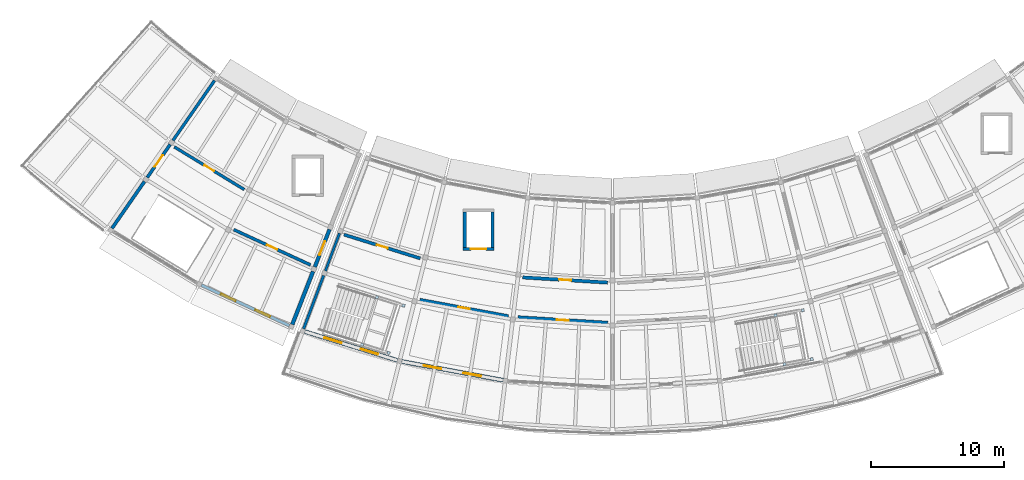
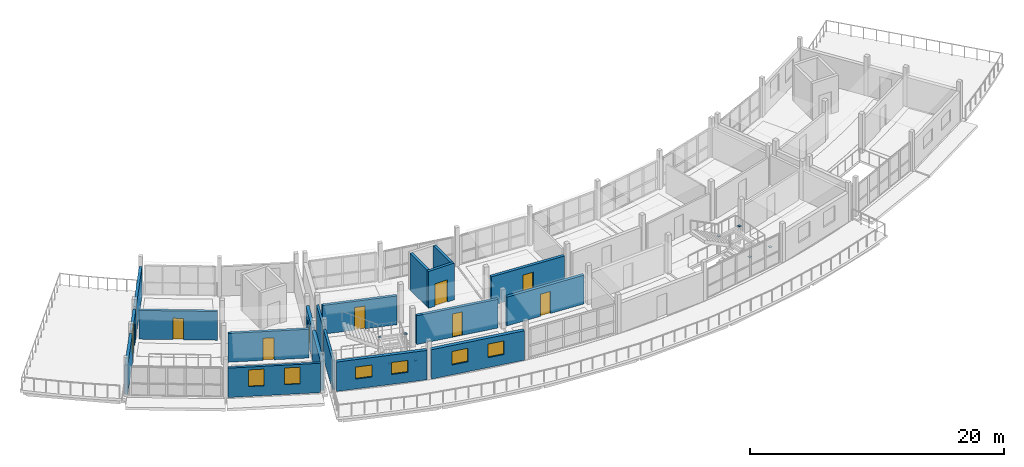
# One storey, part 17 of 24: 19 walls, 9 doors, 8 plates, 6 windows, 15 openings.
"""IFC4 building model written with IfcOpenShell, lengths in metres."""

from ifc_helpers import new_model, si_unit, direction, frame, frame_2d, origin, origin_2d, place, context, subcontext, project, spatial, rectangle, extrude, material, layer, layer_set, type_object, element, fill, save


model = new_model("IFC4")

# Units and contexts
model_context = context("Model", 3, precision=1e-05, world=origin(), true_north=direction((0.0, 1.0)))
body_context = subcontext(model_context, "Body", "Model", "MODEL_VIEW")
ifc_project = project(units=[si_unit("LENGTHUNIT", "METRE"), si_unit("AREAUNIT", "SQUARE_METRE"), si_unit("VOLUMEUNIT", "CUBIC_METRE"), si_unit("PLANEANGLEUNIT", "RADIAN"), si_unit("MASSUNIT", "GRAM", prefix="KILO")], contexts=[model_context])

# Site, building, storey
site_placement = place(None, origin())
site = spatial("IfcSite", under=ifc_project, at=site_placement, CompositionType="ELEMENT")
building_placement = place(site_placement, origin())
building = spatial("IfcBuilding", under=site, at=building_placement, Name="Caldaven Crescent School", CompositionType="ELEMENT")
storey_placement = place(building_placement, frame((0.0, 0.0, 15.639892578125)))
storey = spatial("IfcBuildingStorey", under=building, at=storey_placement, Name="L04", CompositionType="ELEMENT", Elevation=15.639892578125)

# Plates
ifc_material_1 = material(Name="Steel ASTM A572 Grade 50", Category="steel")
ifc_layer_1 = layer(ifc_material_1, 0.01806640625)
ifc_layer_set_1 = layer_set([ifc_layer_1], Name="Steel ASTM A572 Grade 50")
plate_type = type_object("IfcPlateType", Name="PLT-CAP18", PredefinedType="USERDEFINED", material=ifc_layer_set_1)
for number, where, z_axis, x_axis, name in (
    (1, (69.12109375, 32.864990234375, 1.675048828125), (0.0, 0.0, 1.0), (0.953716950748, -0.300705799504, 0.0), "CAP-STPOST-ST2-L04-A"),
    (2, (70.245849609375, 36.431884765625, 1.675048828125), (0.0, 0.0, 1.0), (0.953716950748, -0.300705799504, 0.0), "CAP-STPOST-ST2-L04-B"),
    (3, (71.114501953125, 32.236328125, 1.675048828125), (0.0, 0.0, 1.0), (0.953716950748, -0.300705799504, 0.0), "CAP-STPOST-ST2-L04-C"),
    (4, (72.239013671875, 35.80322265625, 1.675048828125), (0.0, 0.0, 1.0), (0.953716950748, -0.300705799504, 0.0), "CAP-STPOST-ST2-L04-D"),
    (5, (100.97119140625, 31.391845703125, 1.675048828125), (0.0, 0.0, 1.0), (0.983254907564, 0.182235525492, 0.0), "CAP-STPOST-ST3-L04-A"),
    (6, (100.28955078125, 35.0693359375, 1.675048828125), (0.0, 0.0, 1.0), (0.983254907564, 0.182235525492, 0.0), "CAP-STPOST-ST3-L04-B"),
    (7, (103.026123046875, 31.772705078125, 1.675048828125), (0.0, 0.0, 1.0), (0.983254907564, 0.182235525492, 0.0), "CAP-STPOST-ST3-L04-C"),
    (8, (102.344482421875, 35.4501953125, 1.675048828125), (0.0, 0.0, 1.0), (0.983254907564, 0.182235525492, 0.0), "CAP-STPOST-ST3-L04-D"),
):
    element("IfcPlate", number, at=place(storey_placement, frame(where, z_axis=z_axis, x_axis=x_axis)), inside=storey, type_object=plate_type, Name=name, ObjectType="CAP_PLATE", PredefinedType="USERDEFINED", context=body_context, shape_type="SweptSolid", body=[
        extrude(rectangle(XDim=0.219970703125, YDim=0.219970703125, at=origin_2d()), origin(), (0.0, 0.0, 1.0), 0.01806640625),
    ])

# Wall, opening, door
ifc_material_2 = material(Name="Concrete C35/45", Category="concrete")
ifc_layer_2 = layer(ifc_material_2, 0.300048828125)
ifc_layer_set_2 = layer_set([ifc_layer_2], Name="Concrete C35/45")
wall_type_1 = type_object("IfcWallType", Name="WAL-CW1", PredefinedType="SHEAR", material=ifc_layer_set_2)
wall_1_placement = place(storey_placement, frame((76.729248046875, 40.07763671875, 0.0), z_axis=(0.0, 0.0, 1.0), x_axis=(1.0, 0.0, 0.0)))
wall_1 = element("IfcWall", 9, at=wall_1_placement, inside=storey, type_object=wall_type_1, Name="CW-LF5-L04-S", PredefinedType="SHEAR", context=body_context, shape_type="SweptSolid", body=[
    extrude(rectangle(XDim=2.349853515625, YDim=0.25, at=frame_2d((1.1748046875, 0.0))), origin(), (0.0, 0.0, 1.0), 3.530029296875),
])
opening_1_placement = place(wall_1_placement, frame((0.60009765625, 0.0, 0.0)))
opening_1 = element("IfcOpeningElement", 10, at=opening_1_placement, cuts=wall_1, Name="Opening LD-LF5-L04", PredefinedType="OPENING", context=body_context, shape_type="SweptSolid", body=[
    extrude(rectangle(XDim=1.14990234375, YDim=2.14990234375, at=frame_2d((0.574951171875, 1.074951171875))), frame((0.0, 0.135009765625, 0.0), z_axis=(0.0, -1.0, 0.0), x_axis=(1.0, 0.0, 0.0)), (0.0, 0.0, 1.0), 0.27001953125),
])
ifc_material_3 = material(Name="Brushed stainless-steel automatic telescopic landing door", Category="steel")
door_type_1 = type_object("IfcDoorType", Name="DOR-LD02", OperationType="DOUBLE_DOOR_SLIDING", PredefinedType="DOOR", material=ifc_material_3)
door_1_placement = place(opening_1_placement, origin())
door_1 = element("IfcDoor", 11, at=door_1_placement, inside=storey, type_object=door_type_1, Name="DOR-LD-LF5-L04", OperationType="DOUBLE_DOOR_SLIDING", OverallHeight=2.14990234375, OverallWidth=1.14990234375, PredefinedType="DOOR", context=body_context, shape_type="SweptSolid", body=[
    extrude(rectangle(XDim=1.14990234375, YDim=2.14990234375, at=frame_2d((0.574951171875, 1.074951171875))), frame((0.0, 0.02490234375, 0.0), z_axis=(0.0, -1.0, 0.0), x_axis=(1.0, 0.0, 0.0)), (0.0, 0.0, 1.0), 0.050048828125),
])
fill(opening_1, door_1)

# Walls
ifc_layer_3 = layer(ifc_material_2, 0.25)
ifc_layer_set_3 = layer_set([ifc_layer_3], Name="Concrete C35/45")
wall_type_2 = type_object("IfcWallType", Name="WAL-CW2", PredefinedType="SHEAR", material=ifc_layer_set_3)
for number, where, z_axis, x_axis, name in (
    (12, (76.854248046875, 40.20263671875, 0.0), (0.0, 0.0, 1.0), (0.0, 1.0, 0.0), "CW-LF5-L04-W"),
    (13, (78.9541015625, 40.20263671875, 0.0), (0.0, 0.0, 1.0), (0.0, 1.0, 0.0), "CW-LF5-L04-E"),
):
    element("IfcWall", number, at=place(storey_placement, frame(where, z_axis=z_axis, x_axis=x_axis)), inside=storey, type_object=wall_type_2, Name=name, PredefinedType="SHEAR", context=body_context, shape_type="SweptSolid", body=[
        extrude(rectangle(XDim=2.650146484375, YDim=0.25, at=frame_2d((1.3251953125, 0.0))), origin(), (0.0, 0.0, 1.0), 3.530029296875),
    ])
ifc_material_4 = material(Name="Precast concrete C35/45", Category="concrete")
ifc_layer_4 = layer(ifc_material_4, 0.19189453125)
ifc_layer_set_4 = layer_set([ifc_layer_4], Name="Precast concrete C35/45")
wall_type_3 = type_object("IfcWallType", Name="WAL-EW01", PredefinedType="STANDARD", material=ifc_layer_set_4)
wall_2_placement = place(storey_placement, frame((67.41796875, 41.25830078125, 0.0), z_axis=(0.0, 0.0, 1.0), x_axis=(-0.351899369392, -0.936037837815, 0.0)))
element("IfcWall", 14, at=wall_2_placement, inside=storey, type_object=wall_type_3, Name="EW-L04-238", PredefinedType="STANDARD", context=body_context, shape_type="SweptSolid", body=[
    extrude(rectangle(XDim=3.033935546875, YDim=0.19189453125, at=frame_2d((1.51708984375, 0.0))), origin(), (0.0, 0.0, 1.0), 2.820068359375),
])
ifc_layer_5 = layer(ifc_material_4, 0.2041015625)
ifc_layer_set_5 = layer_set([ifc_layer_5], Name="Precast concrete C35/45")
wall_type_4 = type_object("IfcWallType", Name="WAL-EW02", PredefinedType="STANDARD", material=ifc_layer_set_5)
wall_3_placement = place(storey_placement, frame((66.221435546875, 38.075927734375, 0.0), z_axis=(0.0, 0.0, 1.0), x_axis=(-0.351932384448, -0.936025425283, 0.0)))
element("IfcWall", 15, at=wall_3_placement, inside=storey, type_object=wall_type_4, Name="EW-L04-239", PredefinedType="STANDARD", context=body_context, shape_type="SweptSolid", body=[
    extrude(rectangle(XDim=4.298828125, YDim=0.2041015625, at=frame_2d((2.1494140625, 0.0))), origin(), (0.0, 0.0, 1.0), 2.820068359375),
])

# Wall, openings, windows
ifc_layer_6 = layer(ifc_material_4, 0.216064453125)
ifc_layer_set_6 = layer_set([ifc_layer_6], Name="Precast concrete C35/45")
wall_type_5 = type_object("IfcWallType", Name="WAL-EW03", PredefinedType="STANDARD", material=ifc_layer_set_6)
wall_4_placement = place(storey_placement, frame((57.003173828125, 37.34619140625, 0.0), z_axis=(0.0, 0.0, 1.0), x_axis=(0.908528493203, -0.417822901525, 0.0)))
wall_4 = element("IfcWall", 16, at=wall_4_placement, inside=storey, type_object=wall_type_5, Name="EW-L04-226", PredefinedType="STANDARD", context=body_context, shape_type="SweptSolid", body=[
    extrude(rectangle(XDim=7.309326171875, YDim=0.216064453125, at=frame_2d((3.65478515625, 0.0))), origin(), (0.0, 0.0, 1.0), 2.820068359375),
])
opening_2_placement = place(wall_4_placement, frame((1.623046875, 0.0, 0.949951171875)))
opening_2 = element("IfcOpeningElement", 17, at=opening_2_placement, cuts=wall_4, Name="Opening W08", PredefinedType="OPENING", context=body_context, shape_type="SweptSolid", body=[
    extrude(rectangle(XDim=1.219970703125, YDim=1.60009765625, at=frame_2d((0.60986328125, 0.800048828125))), frame((0.0, 0.117919921875, 0.0), z_axis=(0.0, -1.0, 0.0), x_axis=(1.0, 0.0, 0.0)), (0.0, 0.0, 1.0), 0.236083984375),
])
opening_3_placement = place(wall_4_placement, frame((4.466064453125, 0.0, 0.949951171875)))
opening_3 = element("IfcOpeningElement", 18, at=opening_3_placement, cuts=wall_4, Name="Opening W08", PredefinedType="OPENING", context=body_context, shape_type="SweptSolid", body=[
    extrude(rectangle(XDim=1.219970703125, YDim=1.60009765625, at=frame_2d((0.60986328125, 0.800048828125))), frame((0.0, 0.117919921875, 0.0), z_axis=(0.0, -1.0, 0.0), x_axis=(1.0, 0.0, 0.0)), (0.0, 0.0, 1.0), 0.236083984375),
])
ifc_material_5 = material(Name="Thermally broken anodised aluminium AA 6063-T6 and low-E double glazing", Category="aluminium")
window_type_1 = type_object("IfcWindowType", Name="WIN-W08", PartitioningType="SINGLE_PANEL", PredefinedType="WINDOW", material=ifc_material_5)
window_1_placement = place(opening_2_placement, origin())
window_1 = element("IfcWindow", 19, at=window_1_placement, inside=storey, type_object=window_type_1, Name="WIN-L04-103-1", OverallHeight=1.60009765625, OverallWidth=1.219970703125, PartitioningType="SINGLE_PANEL", PredefinedType="WINDOW", context=body_context, shape_type="SweptSolid", body=[
    extrude(rectangle(XDim=1.219970703125, YDim=1.60009765625, at=frame_2d((0.60986328125, 0.800048828125))), frame((0.0, 0.030029296875, 0.0), z_axis=(0.0, -1.0, 0.0), x_axis=(1.0, 0.0, 0.0)), (0.0, 0.0, 1.0), 0.06005859375),
])
fill(opening_2, window_1)
window_2_placement = place(opening_3_placement, origin())
window_2 = element("IfcWindow", 20, at=window_2_placement, inside=storey, type_object=window_type_1, Name="WIN-L04-103-2", OverallHeight=1.60009765625, OverallWidth=1.219970703125, PartitioningType="SINGLE_PANEL", PredefinedType="WINDOW", context=body_context, shape_type="SweptSolid", body=[
    extrude(rectangle(XDim=1.219970703125, YDim=1.60009765625, at=frame_2d((0.60986328125, 0.800048828125))), frame((0.0, 0.030029296875, 0.0), z_axis=(0.0, -1.0, 0.0), x_axis=(1.0, 0.0, 0.0)), (0.0, 0.0, 1.0), 0.06005859375),
])
fill(opening_3, window_2)

# Wall
ifc_layer_7 = layer(ifc_material_4, 0.22802734375)
ifc_layer_set_7 = layer_set([ifc_layer_7], Name="Precast concrete C35/45")
wall_type_6 = type_object("IfcWallType", Name="WAL-EW04", PredefinedType="STANDARD", material=ifc_layer_set_7)
wall_5_placement = place(storey_placement, frame((57.99658203125, 52.7744140625, 0.0), z_axis=(0.0, 0.0, 1.0), x_axis=(-0.570236884325, -0.821480307588, 0.0)))
element("IfcWall", 21, at=wall_5_placement, inside=storey, type_object=wall_type_6, Name="EW-L04-227", PredefinedType="STANDARD", context=body_context, shape_type="SweptSolid", body=[
    extrude(rectangle(XDim=5.4990234375, YDim=0.22802734375, at=frame_2d((2.74951171875, 0.0))), origin(), (0.0, 0.0, 1.0), 2.820068359375),
])

# Wall, opening, door
ifc_layer_8 = layer(ifc_material_4, 0.239990234375)
ifc_layer_set_8 = layer_set([ifc_layer_8], Name="Precast concrete C35/45")
wall_type_7 = type_object("IfcWallType", Name="WAL-EW05", PredefinedType="STANDARD", material=ifc_layer_set_8)
wall_6_placement = place(storey_placement, frame((54.652099609375, 47.95654296875, 0.0), z_axis=(0.0, 0.0, 1.0), x_axis=(-0.570201261131, -0.821505034559, 0.0)))
wall_6 = element("IfcWall", 22, at=wall_6_placement, inside=storey, type_object=wall_type_7, Name="EW-L04-228", PredefinedType="STANDARD", context=body_context, shape_type="SweptSolid", body=[
    extrude(rectangle(XDim=3.033935546875, YDim=0.239990234375, at=frame_2d((1.51708984375, 0.0))), origin(), (0.0, 0.0, 1.0), 2.820068359375),
])
opening_4_placement = place(wall_6_placement, frame((0.987060546875, 0.0, 0.0)))
opening_4 = element("IfcOpeningElement", 23, at=opening_4_placement, cuts=wall_6, Name="Opening D-L04-E038", PredefinedType="OPENING", context=body_context, shape_type="SweptSolid", body=[
    extrude(rectangle(XDim=1.06005859375, YDim=2.179931640625, at=frame_2d((0.530029296875, 1.08984375))), frame((0.0, 0.1298828125, 0.0), z_axis=(0.0, -1.0, 0.0), x_axis=(1.0, 0.0, 0.0)), (0.0, 0.0, 1.0), 0.260009765625),
])
ifc_material_6 = material(Name="Thermally broken bronze-anodised aluminium and laminated safety glass", Category="aluminium")
door_type_2 = type_object("IfcDoorType", Name="DOR-EX03", OperationType="NOTDEFINED", PredefinedType="DOOR", material=ifc_material_6)
door_2_placement = place(opening_4_placement, frame((1.06005859375, 0.0, 0.0), z_axis=(0.0, 0.0, 1.0), x_axis=(-1.0, 0.0, 0.0)))
door_2 = element("IfcDoor", 24, at=door_2_placement, inside=storey, type_object=door_type_2, Name="DOR-EXT-L04-038", OperationType="SINGLE_SWING_LEFT", OverallHeight=2.179931640625, OverallWidth=1.06005859375, PredefinedType="DOOR", context=body_context, shape_type="SweptSolid", body=[
    extrude(rectangle(XDim=1.06005859375, YDim=2.179931640625, at=frame_2d((0.530029296875, 1.08984375))), frame((0.0, 0.02490234375, 0.0), z_axis=(0.0, -1.0, 0.0), x_axis=(1.0, 0.0, 0.0)), (0.0, 0.0, 1.0), 0.050048828125),
])
fill(opening_4, door_2)

# Wall
ifc_layer_9 = layer(ifc_material_4, 0.251953125)
ifc_layer_set_9 = layer_set([ifc_layer_9], Name="Precast concrete C35/45")
wall_type_8 = type_object("IfcWallType", Name="WAL-EW06", PredefinedType="STANDARD", material=ifc_layer_set_9)
wall_7_placement = place(storey_placement, frame((52.71337890625, 45.163330078125, 0.0), z_axis=(0.0, 0.0, 1.0), x_axis=(-0.570237221937, -0.821480073232, 0.0)))
element("IfcWall", 25, at=wall_7_placement, inside=storey, type_object=wall_type_8, Name="EW-L04-229", PredefinedType="STANDARD", context=body_context, shape_type="SweptSolid", body=[
    extrude(rectangle(XDim=4.298828125, YDim=0.251953125, at=frame_2d((2.1494140625, 0.0))), origin(), (0.0, 0.0, 1.0), 2.820068359375),
])

# Wall, opening, door
ifc_layer_10 = layer(ifc_material_4, 0.27587890625)
ifc_layer_set_10 = layer_set([ifc_layer_10], Name="Precast concrete C35/45")
wall_type_9 = type_object("IfcWallType", Name="WAL-EW08", PredefinedType="STANDARD", material=ifc_layer_set_10)
wall_8_placement = place(storey_placement, frame((66.666259765625, 41.547119140625, 0.0), z_axis=(0.0, 0.0, 1.0), x_axis=(-0.364833166259, -0.931072908422, 0.0)))
wall_8 = element("IfcWall", 26, at=wall_8_placement, inside=storey, type_object=wall_type_9, Name="EW-L04-231", PredefinedType="STANDARD", context=body_context, shape_type="SweptSolid", body=[
    extrude(rectangle(XDim=3.0341796875, YDim=0.27587890625, at=frame_2d((1.51708984375, 0.0))), origin(), (0.0, 0.0, 1.0), 2.820068359375),
])
opening_5_placement = place(wall_8_placement, frame((0.95703125, 0.0, 0.0)))
opening_5 = element("IfcOpeningElement", 27, at=opening_5_placement, cuts=wall_8, Name="Opening D-L04-E039", PredefinedType="OPENING", context=body_context, shape_type="SweptSolid", body=[
    extrude(rectangle(XDim=1.1201171875, YDim=2.179931640625, at=frame_2d((0.56005859375, 1.08984375))), frame((0.0, 0.14794921875, 0.0), z_axis=(0.0, -1.0, 0.0), x_axis=(1.0, 0.0, 0.0)), (0.0, 0.0, 1.0), 0.2958984375),
])
door_type_3 = type_object("IfcDoorType", Name="DOR-EX04", OperationType="NOTDEFINED", PredefinedType="DOOR", material=ifc_material_6)
door_3_placement = place(opening_5_placement, origin())
door_3 = element("IfcDoor", 28, at=door_3_placement, inside=storey, type_object=door_type_3, Name="DOR-EXT-L04-039", OperationType="SINGLE_SWING_RIGHT", OverallHeight=2.179931640625, OverallWidth=1.1201171875, PredefinedType="DOOR", context=body_context, shape_type="SweptSolid", body=[
    extrude(rectangle(XDim=1.1201171875, YDim=2.179931640625, at=frame_2d((0.56005859375, 1.08984375))), frame((0.0, 0.02490234375, 0.0), z_axis=(0.0, -1.0, 0.0), x_axis=(1.0, 0.0, 0.0)), (0.0, 0.0, 1.0), 0.050048828125),
])
fill(opening_5, door_3)

# Wall
ifc_layer_11 = layer(ifc_material_4, 0.2880859375)
ifc_layer_set_11 = layer_set([ifc_layer_11], Name="Precast concrete C35/45")
wall_type_10 = type_object("IfcWallType", Name="WAL-EW09", PredefinedType="STANDARD", material=ifc_layer_set_11)
wall_9_placement = place(storey_placement, frame((65.42578125, 38.38134765625, 0.0), z_axis=(0.0, 0.0, 1.0), x_axis=(-0.364771909001, -0.931096909244, 0.0)))
element("IfcWall", 29, at=wall_9_placement, inside=storey, type_object=wall_type_10, Name="EW-L04-232", PredefinedType="STANDARD", context=body_context, shape_type="SweptSolid", body=[
    extrude(rectangle(XDim=4.298828125, YDim=0.2880859375, at=frame_2d((2.1494140625, 0.0))), origin(), (0.0, 0.0, 1.0), 2.820068359375),
])

# Wall, openings, windows
ifc_layer_12 = layer(ifc_material_4, 0.300048828125)
ifc_layer_set_12 = layer_set([ifc_layer_12], Name="Precast concrete C35/45")
wall_type_11 = type_object("IfcWallType", Name="WAL-EW10", PredefinedType="STANDARD", material=ifc_layer_set_12)
wall_10_placement = place(storey_placement, frame((64.809814453125, 33.8447265625, 0.0), z_axis=(0.0, 0.0, 1.0), x_axis=(0.954747645816, -0.297417102416, 0.0)))
wall_10 = element("IfcWall", 30, at=wall_10_placement, inside=storey, type_object=wall_type_11, Name="EW-L04-233", PredefinedType="STANDARD", context=body_context, shape_type="SweptSolid", body=[
    extrude(rectangle(XDim=7.30908203125, YDim=0.300048828125, at=frame_2d((3.654541015625, 0.0))), origin(), (0.0, 0.0, 1.0), 2.820068359375),
])
opening_6_placement = place(wall_10_placement, frame((1.54296875, 0.0, 0.949951171875)))
opening_6 = element("IfcOpeningElement", 31, at=opening_6_placement, cuts=wall_10, Name="Opening W09", PredefinedType="OPENING", context=body_context, shape_type="SweptSolid", body=[
    extrude(rectangle(XDim=1.340087890625, YDim=1.14990234375, at=frame_2d((0.669921875, 0.574951171875))), frame((0.0, 0.159912109375, 0.0), z_axis=(0.0, -1.0, 0.0), x_axis=(1.0, 0.0, 0.0)), (0.0, 0.0, 1.0), 0.320068359375),
])
opening_7_placement = place(wall_10_placement, frame((4.426025390625, 0.0, 0.949951171875)))
opening_7 = element("IfcOpeningElement", 32, at=opening_7_placement, cuts=wall_10, Name="Opening W09", PredefinedType="OPENING", context=body_context, shape_type="SweptSolid", body=[
    extrude(rectangle(XDim=1.340087890625, YDim=1.14990234375, at=frame_2d((0.669921875, 0.574951171875))), frame((0.0, 0.159912109375, 0.0), z_axis=(0.0, -1.0, 0.0), x_axis=(1.0, 0.0, 0.0)), (0.0, 0.0, 1.0), 0.320068359375),
])
window_type_2 = type_object("IfcWindowType", Name="WIN-W09", PartitioningType="SINGLE_PANEL", PredefinedType="WINDOW", material=ifc_material_5)
window_3_placement = place(opening_6_placement, origin())
window_3 = element("IfcWindow", 33, at=window_3_placement, inside=storey, type_object=window_type_2, Name="WIN-L04-104-1", OverallHeight=1.14990234375, OverallWidth=1.340087890625, PartitioningType="SINGLE_PANEL", PredefinedType="WINDOW", context=body_context, shape_type="SweptSolid", body=[
    extrude(rectangle(XDim=1.340087890625, YDim=1.14990234375, at=frame_2d((0.669921875, 0.574951171875))), frame((0.0, 0.030029296875, 0.0), z_axis=(0.0, -1.0, 0.0), x_axis=(1.0, 0.0, 0.0)), (0.0, 0.0, 1.0), 0.06005859375),
])
fill(opening_6, window_3)
window_4_placement = place(opening_7_placement, origin())
window_4 = element("IfcWindow", 34, at=window_4_placement, inside=storey, type_object=window_type_2, Name="WIN-L04-104-2", OverallHeight=1.14990234375, OverallWidth=1.340087890625, PartitioningType="SINGLE_PANEL", PredefinedType="WINDOW", context=body_context, shape_type="SweptSolid", body=[
    extrude(rectangle(XDim=1.340087890625, YDim=1.14990234375, at=frame_2d((0.669921875, 0.574951171875))), frame((0.0, 0.030029296875, 0.0), z_axis=(0.0, -1.0, 0.0), x_axis=(1.0, 0.0, 0.0)), (0.0, 0.0, 1.0), 0.06005859375),
])
fill(opening_7, window_4)

ifc_layer_13 = layer(ifc_material_4, 0.31201171875)
ifc_layer_set_13 = layer_set([ifc_layer_13], Name="Precast concrete C35/45")
wall_type_12 = type_object("IfcWallType", Name="WAL-EW11", PredefinedType="STANDARD", material=ifc_layer_set_13)
wall_11_placement = place(storey_placement, frame((72.11376953125, 31.59033203125, 0.0), z_axis=(0.0, 0.0, 1.0), x_axis=(0.983255515732, -0.182232244082, 0.0)))
wall_11 = element("IfcWall", 35, at=wall_11_placement, inside=storey, type_object=wall_type_12, Name="EW-L04-234", PredefinedType="STANDARD", context=body_context, shape_type="SweptSolid", body=[
    extrude(rectangle(XDim=7.76513671875, YDim=0.31201171875, at=frame_2d((3.882568359375, 0.0))), origin(), (0.0, 0.0, 1.0), 2.820068359375),
])
opening_8_placement = place(wall_11_placement, frame((1.695068359375, 0.0, 0.949951171875)))
opening_8 = element("IfcOpeningElement", 36, at=opening_8_placement, cuts=wall_11, Name="Opening W10", PredefinedType="OPENING", context=body_context, shape_type="SweptSolid", body=[
    extrude(rectangle(XDim=1.340087890625, YDim=1.300048828125, at=frame_2d((0.669921875, 0.64990234375))), frame((0.0, 0.166015625, 0.0), z_axis=(0.0, -1.0, 0.0), x_axis=(1.0, 0.0, 0.0)), (0.0, 0.0, 1.0), 0.33203125),
])
opening_9_placement = place(wall_11_placement, frame((4.72998046875, 0.0, 0.949951171875)))
opening_9 = element("IfcOpeningElement", 37, at=opening_9_placement, cuts=wall_11, Name="Opening W10", PredefinedType="OPENING", context=body_context, shape_type="SweptSolid", body=[
    extrude(rectangle(XDim=1.340087890625, YDim=1.300048828125, at=frame_2d((0.669921875, 0.64990234375))), frame((0.0, 0.166015625, 0.0), z_axis=(0.0, -1.0, 0.0), x_axis=(1.0, 0.0, 0.0)), (0.0, 0.0, 1.0), 0.33203125),
])
window_type_3 = type_object("IfcWindowType", Name="WIN-W10", PartitioningType="SINGLE_PANEL", PredefinedType="WINDOW", material=ifc_material_5)
window_5_placement = place(opening_8_placement, origin())
window_5 = element("IfcWindow", 38, at=window_5_placement, inside=storey, type_object=window_type_3, Name="WIN-L04-105-1", OverallHeight=1.300048828125, OverallWidth=1.340087890625, PartitioningType="SINGLE_PANEL", PredefinedType="WINDOW", context=body_context, shape_type="SweptSolid", body=[
    extrude(rectangle(XDim=1.340087890625, YDim=1.300048828125, at=frame_2d((0.669921875, 0.64990234375))), frame((0.0, 0.030029296875, 0.0), z_axis=(0.0, -1.0, 0.0), x_axis=(1.0, 0.0, 0.0)), (0.0, 0.0, 1.0), 0.06005859375),
])
fill(opening_8, window_5)
window_6_placement = place(opening_9_placement, origin())
window_6 = element("IfcWindow", 39, at=window_6_placement, inside=storey, type_object=window_type_3, Name="WIN-L04-105-2", OverallHeight=1.300048828125, OverallWidth=1.340087890625, PartitioningType="SINGLE_PANEL", PredefinedType="WINDOW", context=body_context, shape_type="SweptSolid", body=[
    extrude(rectangle(XDim=1.340087890625, YDim=1.300048828125, at=frame_2d((0.669921875, 0.64990234375))), frame((0.0, 0.030029296875, 0.0), z_axis=(0.0, -1.0, 0.0), x_axis=(1.0, 0.0, 0.0)), (0.0, 0.0, 1.0), 0.06005859375),
])
fill(opening_9, window_6)

# Wall, opening, door
ifc_material_7 = material(Name="Acoustic timber-stud and fire-rated gypsum board assembly", Category="wood")
ifc_layer_14 = layer(ifc_material_7, 0.219970703125)
ifc_layer_set_14 = layer_set([ifc_layer_14], Name="Acoustic timber-stud and fire-rated gypsum board assembly")
wall_type_13 = type_object("IfcWallType", Name="WAL-IW07", PredefinedType="STANDARD", material=ifc_layer_set_14)
wall_12_placement = place(storey_placement, frame((54.961181640625, 47.771484375, 0.0), z_axis=(0.0, 0.0, 1.0), x_axis=(0.853713092051, -0.520743657148, 0.0)))
wall_12 = element("IfcWall", 40, at=wall_12_placement, inside=storey, type_object=wall_type_13, Name="IW-L04-0278", PredefinedType="STANDARD", context=body_context, shape_type="SweptSolid", body=[
    extrude(rectangle(XDim=6.18115234375, YDim=0.219970703125, at=frame_2d((3.090576171875, 0.0))), origin(), (0.0, 0.0, 1.0), 2.760009765625),
])
opening_10_placement = place(wall_12_placement, frame((2.660400390625, 0.0, 0.0)))
opening_10 = element("IfcOpeningElement", 41, at=opening_10_placement, cuts=wall_12, Name="Opening D-L04-I200", PredefinedType="OPENING", context=body_context, shape_type="SweptSolid", body=[
    extrude(rectangle(XDim=0.860107421875, YDim=2.06005859375, at=frame_2d((0.43017578125, 1.030029296875))), frame((0.0, 0.119873046875, 0.0), z_axis=(0.0, -1.0, 0.0), x_axis=(1.0, 0.0, 0.0)), (0.0, 0.0, 1.0), 0.239990234375),
])
ifc_material_8 = material(Name="Solid-core Pino Radiata acoustic timber leaf in steel frame", Category="steel")
door_type_4 = type_object("IfcDoorType", Name="DOR-ID01", OperationType="NOTDEFINED", PredefinedType="DOOR", material=ifc_material_8)
door_4_placement = place(opening_10_placement, frame((0.860107421875, 0.0, 0.0), z_axis=(0.0, 0.0, 1.0), x_axis=(-1.0, 0.0, 0.0)))
door_4 = element("IfcDoor", 42, at=door_4_placement, inside=storey, type_object=door_type_4, Name="DOR-INT-L04-0200", OperationType="SINGLE_SWING_LEFT", OverallHeight=2.06005859375, OverallWidth=0.860107421875, PredefinedType="DOOR", context=body_context, shape_type="SweptSolid", body=[
    extrude(rectangle(XDim=0.860107421875, YDim=2.06005859375, at=frame_2d((0.43017578125, 1.030029296875))), frame((0.0, 0.02490234375, 0.0), z_axis=(0.0, -1.0, 0.0), x_axis=(1.0, 0.0, 0.0)), (0.0, 0.0, 1.0), 0.050048828125),
])
fill(opening_10, door_4)

ifc_layer_15 = layer(ifc_material_7, 0.22998046875)
ifc_layer_set_15 = layer_set([ifc_layer_15], Name="Acoustic timber-stud and fire-rated gypsum board assembly")
wall_type_14 = type_object("IfcWallType", Name="WAL-IW08", PredefinedType="STANDARD", material=ifc_layer_set_15)
wall_13_placement = place(storey_placement, frame((59.445068359375, 41.53076171875, 0.0), z_axis=(0.0, 0.0, 1.0), x_axis=(0.908519558618, -0.417842328647, 0.0)))
wall_13 = element("IfcWall", 43, at=wall_13_placement, inside=storey, type_object=wall_type_14, Name="IW-L04-0279", PredefinedType="STANDARD", context=body_context, shape_type="SweptSolid", body=[
    extrude(rectangle(XDim=6.36865234375, YDim=0.22998046875, at=frame_2d((3.184326171875, 0.0))), origin(), (0.0, 0.0, 1.0), 2.760009765625),
])
opening_11_placement = place(wall_13_placement, frame((2.75439453125, 0.0, 0.0)))
opening_11 = element("IfcOpeningElement", 44, at=opening_11_placement, cuts=wall_13, Name="Opening D-L04-I201", PredefinedType="OPENING", context=body_context, shape_type="SweptSolid", body=[
    extrude(rectangle(XDim=0.860107421875, YDim=2.1201171875, at=frame_2d((0.43017578125, 1.06005859375))), frame((0.0, 0.125, 0.0), z_axis=(0.0, -1.0, 0.0), x_axis=(1.0, 0.0, 0.0)), (0.0, 0.0, 1.0), 0.25),
])
door_type_5 = type_object("IfcDoorType", Name="DOR-ID02", OperationType="NOTDEFINED", PredefinedType="DOOR", material=ifc_material_8)
door_5_placement = place(opening_11_placement, origin())
door_5 = element("IfcDoor", 45, at=door_5_placement, inside=storey, type_object=door_type_5, Name="DOR-INT-L04-0201", OperationType="SINGLE_SWING_RIGHT", OverallHeight=2.1201171875, OverallWidth=0.860107421875, PredefinedType="DOOR", context=body_context, shape_type="SweptSolid", body=[
    extrude(rectangle(XDim=0.860107421875, YDim=2.1201171875, at=frame_2d((0.43017578125, 1.06005859375))), frame((0.0, 0.02490234375, 0.0), z_axis=(0.0, -1.0, 0.0), x_axis=(1.0, 0.0, 0.0)), (0.0, 0.0, 1.0), 0.050048828125),
])
fill(opening_11, door_5)

ifc_layer_16 = layer(ifc_material_7, 0.239990234375)
ifc_layer_set_16 = layer_set([ifc_layer_16], Name="Acoustic timber-stud and fire-rated gypsum board assembly")
wall_type_15 = type_object("IfcWallType", Name="WAL-IW09", PredefinedType="STANDARD", material=ifc_layer_set_16)
wall_14_placement = place(storey_placement, frame((67.7626953125, 41.154052734375, 0.0), z_axis=(0.0, 0.0, 1.0), x_axis=(0.954756741519, -0.297387902451, 0.0)))
wall_14 = element("IfcWall", 46, at=wall_14_placement, inside=storey, type_object=wall_type_15, Name="IW-L04-0280", PredefinedType="STANDARD", context=body_context, shape_type="SweptSolid", body=[
    extrude(rectangle(XDim=6.018310546875, YDim=0.239990234375, at=frame_2d((3.00927734375, 0.0))), origin(), (0.0, 0.0, 1.0), 2.760009765625),
])
opening_12_placement = place(wall_14_placement, frame((2.5791015625, 0.0, 0.0)))
opening_12 = element("IfcOpeningElement", 47, at=opening_12_placement, cuts=wall_14, Name="Opening D-L04-I202", PredefinedType="OPENING", context=body_context, shape_type="SweptSolid", body=[
    extrude(rectangle(XDim=0.860107421875, YDim=2.179931640625, at=frame_2d((0.43017578125, 1.08984375))), frame((0.0, 0.1298828125, 0.0), z_axis=(0.0, -1.0, 0.0), x_axis=(1.0, 0.0, 0.0)), (0.0, 0.0, 1.0), 0.260009765625),
])
door_type_6 = type_object("IfcDoorType", Name="DOR-ID03", OperationType="NOTDEFINED", PredefinedType="DOOR", material=ifc_material_8)
door_6_placement = place(opening_12_placement, frame((0.860107421875, 0.0, 0.0), z_axis=(0.0, 0.0, 1.0), x_axis=(-1.0, 0.0, 0.0)))
door_6 = element("IfcDoor", 48, at=door_6_placement, inside=storey, type_object=door_type_6, Name="DOR-INT-L04-0202", OperationType="SINGLE_SWING_LEFT", OverallHeight=2.179931640625, OverallWidth=0.860107421875, PredefinedType="DOOR", context=body_context, shape_type="SweptSolid", body=[
    extrude(rectangle(XDim=0.860107421875, YDim=2.179931640625, at=frame_2d((0.43017578125, 1.08984375))), frame((0.0, 0.02490234375, 0.0), z_axis=(0.0, -1.0, 0.0), x_axis=(1.0, 0.0, 0.0)), (0.0, 0.0, 1.0), 0.050048828125),
])
fill(opening_12, door_6)

ifc_layer_17 = layer(ifc_material_7, 0.25)
ifc_layer_set_17 = layer_set([ifc_layer_17], Name="Acoustic timber-stud and fire-rated gypsum board assembly")
wall_type_16 = type_object("IfcWallType", Name="WAL-IW10", PredefinedType="STANDARD", material=ifc_layer_set_17)
wall_15_placement = place(storey_placement, frame((73.470947265625, 36.24169921875, 0.0), z_axis=(0.0, 0.0, 1.0), x_axis=(0.983257442509, -0.182221847619, 0.0)))
wall_15 = element("IfcWall", 49, at=wall_15_placement, inside=storey, type_object=wall_type_16, Name="IW-L04-0281", PredefinedType="STANDARD", context=body_context, shape_type="SweptSolid", body=[
    extrude(rectangle(XDim=6.79150390625, YDim=0.25, at=frame_2d((3.395751953125, 0.0))), origin(), (0.0, 0.0, 1.0), 2.760009765625),
])
opening_13_placement = place(wall_15_placement, frame((2.9658203125, 0.0, 0.0)))
opening_13 = element("IfcOpeningElement", 50, at=opening_13_placement, cuts=wall_15, Name="Opening D-L04-I203", PredefinedType="OPENING", context=body_context, shape_type="SweptSolid", body=[
    extrude(rectangle(XDim=0.860107421875, YDim=2.239990234375, at=frame_2d((0.43017578125, 1.1201171875))), frame((0.0, 0.135009765625, 0.0), z_axis=(0.0, -1.0, 0.0), x_axis=(1.0, 0.0, 0.0)), (0.0, 0.0, 1.0), 0.27001953125),
])
door_type_7 = type_object("IfcDoorType", Name="DOR-ID04", OperationType="NOTDEFINED", PredefinedType="DOOR", material=ifc_material_8)
door_7_placement = place(opening_13_placement, origin())
door_7 = element("IfcDoor", 51, at=door_7_placement, inside=storey, type_object=door_type_7, Name="DOR-INT-L04-0203", OperationType="SINGLE_SWING_RIGHT", OverallHeight=2.239990234375, OverallWidth=0.860107421875, PredefinedType="DOOR", context=body_context, shape_type="SweptSolid", body=[
    extrude(rectangle(XDim=0.860107421875, YDim=2.239990234375, at=frame_2d((0.43017578125, 1.1201171875))), frame((0.0, 0.02490234375, 0.0), z_axis=(0.0, -1.0, 0.0), x_axis=(1.0, 0.0, 0.0)), (0.0, 0.0, 1.0), 0.050048828125),
])
fill(opening_13, door_7)

ifc_layer_18 = layer(ifc_material_7, 0.260009765625)
ifc_layer_set_18 = layer_set([ifc_layer_18], Name="Acoustic timber-stud and fire-rated gypsum board assembly")
wall_type_17 = type_object("IfcWallType", Name="WAL-IW11", PredefinedType="STANDARD", material=ifc_layer_set_18)
wall_16_placement = place(storey_placement, frame((81.232421875, 37.933837890625, 0.0), z_axis=(0.0, 0.0, 1.0), x_axis=(0.998135716959, -0.061033519724, 0.0)))
wall_16 = element("IfcWall", 52, at=wall_16_placement, inside=storey, type_object=wall_type_17, Name="IW-L04-0282", PredefinedType="STANDARD", context=body_context, shape_type="SweptSolid", body=[
    extrude(rectangle(XDim=6.420166015625, YDim=0.260009765625, at=frame_2d((3.2099609375, 0.0))), origin(), (0.0, 0.0, 1.0), 2.760009765625),
])
opening_14_placement = place(wall_16_placement, frame((2.760009765625, 0.0, 0.0)))
opening_14 = element("IfcOpeningElement", 53, at=opening_14_placement, cuts=wall_16, Name="Opening D-L04-I204", PredefinedType="OPENING", context=body_context, shape_type="SweptSolid", body=[
    extrude(rectangle(XDim=0.89990234375, YDim=2.06005859375, at=frame_2d((0.449951171875, 1.030029296875))), frame((0.0, 0.139892578125, 0.0), z_axis=(0.0, -1.0, 0.0), x_axis=(1.0, 0.0, 0.0)), (0.0, 0.0, 1.0), 0.280029296875),
])
door_type_8 = type_object("IfcDoorType", Name="DOR-ID05", OperationType="NOTDEFINED", PredefinedType="DOOR", material=ifc_material_8)
door_8_placement = place(opening_14_placement, frame((0.89990234375, 0.0, 0.0), z_axis=(0.0, 0.0, 1.0), x_axis=(-1.0, 0.0, 0.0)))
door_8 = element("IfcDoor", 54, at=door_8_placement, inside=storey, type_object=door_type_8, Name="DOR-INT-L04-0204", OperationType="SINGLE_SWING_LEFT", OverallHeight=2.06005859375, OverallWidth=0.89990234375, PredefinedType="DOOR", context=body_context, shape_type="SweptSolid", body=[
    extrude(rectangle(XDim=0.89990234375, YDim=2.06005859375, at=frame_2d((0.449951171875, 1.030029296875))), frame((0.0, 0.02490234375, 0.0), z_axis=(0.0, -1.0, 0.0), x_axis=(1.0, 0.0, 0.0)), (0.0, 0.0, 1.0), 0.050048828125),
])
fill(opening_14, door_8)

ifc_material_9 = material(Name="Autoclaved aerated concrete block masonry G5", Category="masonry")
ifc_layer_19 = layer(ifc_material_9, 0.27001953125)
ifc_layer_set_19 = layer_set([ifc_layer_19], Name="Autoclaved aerated concrete block masonry G5")
wall_type_18 = type_object("IfcWallType", Name="WAL-IW12", PredefinedType="STANDARD", material=ifc_layer_set_19)
wall_17_placement = place(storey_placement, frame((80.86181640625, 34.91650390625, 0.0), z_axis=(0.0, 0.0, 1.0), x_axis=(0.998135326973, -0.061039897184, 0.0)))
wall_17 = element("IfcWall", 55, at=wall_17_placement, inside=storey, type_object=wall_type_18, Name="IW-L04-0283", PredefinedType="STANDARD", context=body_context, shape_type="SweptSolid", body=[
    extrude(rectangle(XDim=6.79150390625, YDim=0.27001953125, at=frame_2d((3.395751953125, 0.0))), origin(), (0.0, 0.0, 1.0), 2.760009765625),
])
opening_15_placement = place(wall_17_placement, frame((2.94580078125, 0.0, 0.0)))
opening_15 = element("IfcOpeningElement", 56, at=opening_15_placement, cuts=wall_17, Name="Opening D-L04-I205", PredefinedType="OPENING", context=body_context, shape_type="SweptSolid", body=[
    extrude(rectangle(XDim=0.89990234375, YDim=2.1201171875, at=frame_2d((0.449951171875, 1.06005859375))), frame((0.0, 0.14501953125, 0.0), z_axis=(0.0, -1.0, 0.0), x_axis=(1.0, 0.0, 0.0)), (0.0, 0.0, 1.0), 0.2900390625),
])
door_type_9 = type_object("IfcDoorType", Name="DOR-ID06", OperationType="NOTDEFINED", PredefinedType="DOOR", material=ifc_material_8)
door_9_placement = place(opening_15_placement, origin())
door_9 = element("IfcDoor", 57, at=door_9_placement, inside=storey, type_object=door_type_9, Name="DOR-INT-L04-0205", OperationType="SINGLE_SWING_RIGHT", OverallHeight=2.1201171875, OverallWidth=0.89990234375, PredefinedType="DOOR", context=body_context, shape_type="SweptSolid", body=[
    extrude(rectangle(XDim=0.89990234375, YDim=2.1201171875, at=frame_2d((0.449951171875, 1.06005859375))), frame((0.0, 0.02490234375, 0.0), z_axis=(0.0, -1.0, 0.0), x_axis=(1.0, 0.0, 0.0)), (0.0, 0.0, 1.0), 0.050048828125),
])
fill(opening_15, door_9)

save(model, "model.ifc")
